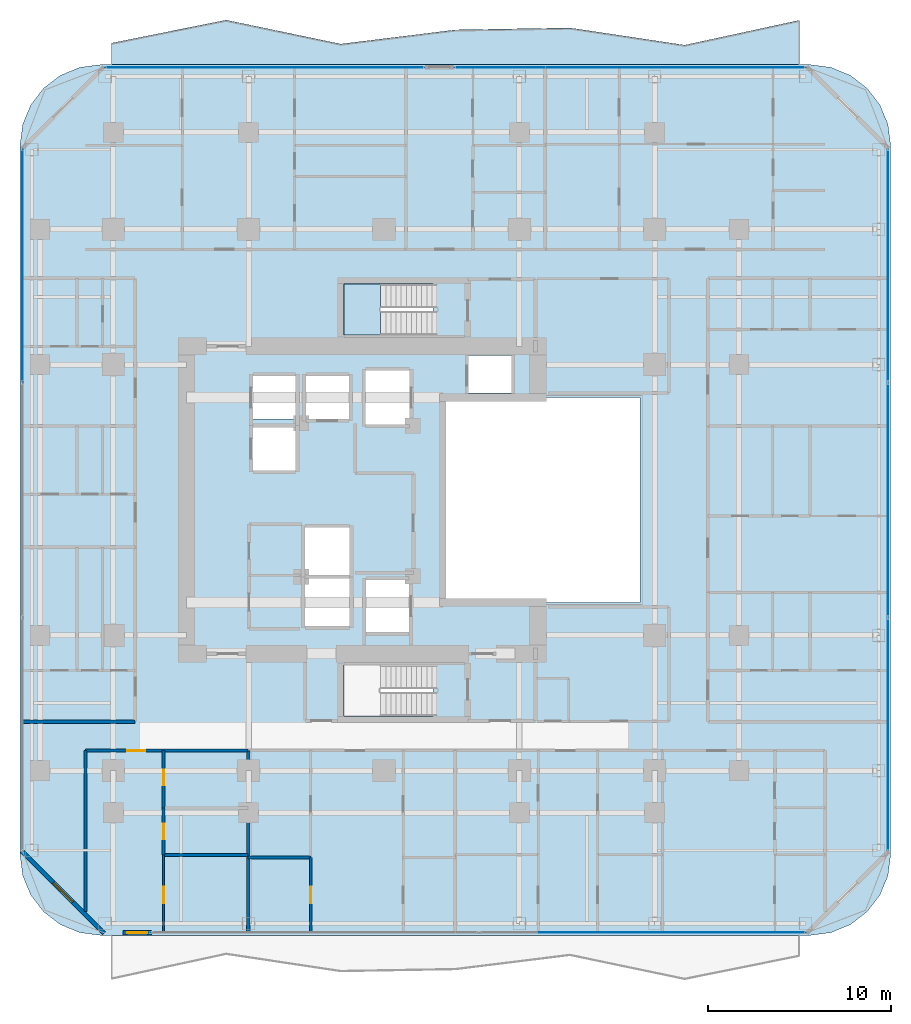
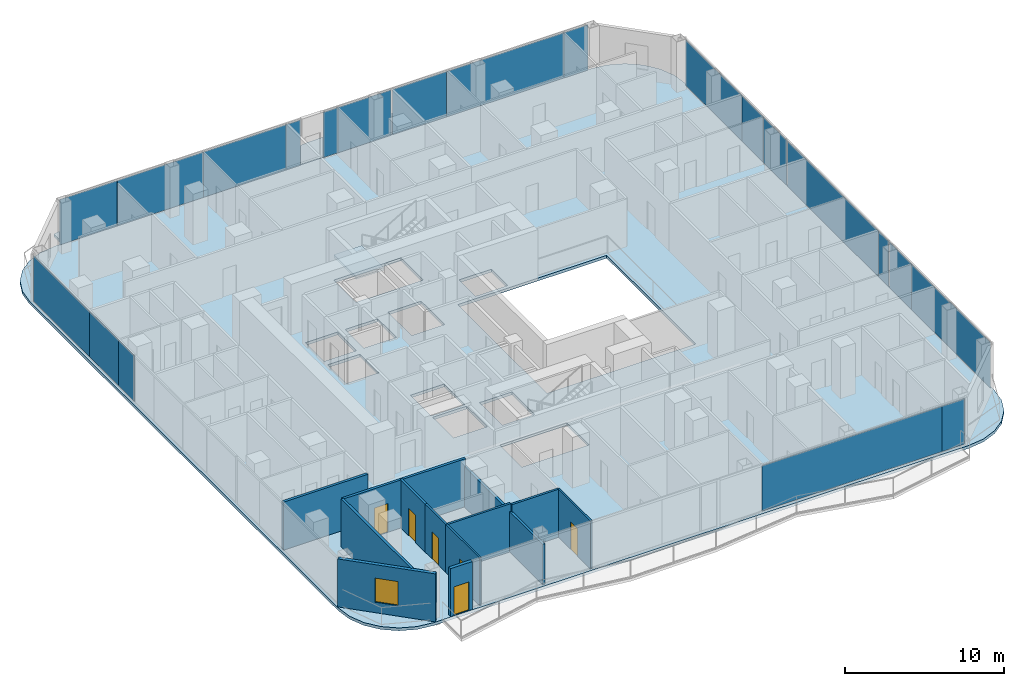
# One storey, part 20 of 29: 21 plates, 12 walls, 6 doors, 3 slabs, 1 window, 7 openings, 6 elements without a shape of their own.
"""IFC4 building model written with IfcOpenShell, lengths in metres."""

from ifc_helpers import new_model, si_unit, direction, frame, frame_2d, origin, origin_2d, place, context, subcontext, project, spatial, polyline, rectangle, outline, extrude, material, layer, layer_set, type_object, element, fill, aggregate, save


model = new_model("IFC4")

# Units and contexts
model_context = context("Model", 3, precision=1e-05, world=origin(), true_north=direction((0.0, 1.0)))
body_context = subcontext(model_context, "Body", "Model", "MODEL_VIEW")
ifc_project = project(units=[si_unit("LENGTHUNIT", "METRE"), si_unit("AREAUNIT", "SQUARE_METRE"), si_unit("VOLUMEUNIT", "CUBIC_METRE"), si_unit("PLANEANGLEUNIT", "RADIAN"), si_unit("MASSUNIT", "GRAM", prefix="KILO")], contexts=[model_context])

# Site, building, storey
site_placement = place(None, origin())
site = spatial("IfcSite", under=ifc_project, at=site_placement, CompositionType="ELEMENT")
building_placement = place(site_placement, origin())
building = spatial("IfcBuilding", under=site, at=building_placement, Name="Khorvyn Point Tower", CompositionType="ELEMENT")
storey_placement = place(building_placement, frame((0.0, 0.0, 140.699951171875)))
storey = spatial("IfcBuildingStorey", under=building, at=storey_placement, Name="L35", CompositionType="ELEMENT", Elevation=140.699951171875)

# Slabs
ifc_material_1 = material(Name="Concrete C35/45", Category="concrete")
ifc_layer_1 = layer(ifc_material_1, 0.219970703125)
ifc_layer_set_1 = layer_set([ifc_layer_1], Name="Concrete C35/45 Structural Floor Slab 220")
slab_type_1 = type_object("IfcSlabType", Name="Concrete C35/45 Structural Floor Slab 220", PredefinedType="FLOOR", material=ifc_layer_set_1)
slab_1_placement = place(storey_placement, frame((0.0, 0.0, -0.219970703125)))
element("IfcSlab", 1, at=slab_1_placement, inside=storey, type_object=slab_type_1, Name="L35 Main Structural Floor Slab", PredefinedType="FLOOR", context=body_context, shape_type="SweptSolid", body=[
    extrude(outline(polyline([(-15.5, -23.800048828125), (-16.638916015625, -23.650146484375), (-17.699951171875, -23.21044921875), (-18.611328125, -22.51123046875), (-19.310546875, -21.60009765625), (-19.75, -20.538818359375), (-19.89990234375, -19.39990234375), (-19.89990234375, 19.39990234375), (-19.75, 20.538818359375), (-19.310546875, 21.60009765625), (-18.611328125, 22.51123046875), (-17.699951171875, 23.21044921875), (-16.638916015625, 23.650146484375), (-15.5, 23.800048828125), (23.300048828125, 23.800048828125), (24.438720703125, 23.650146484375), (25.5, 23.21044921875), (26.411376953125, 22.51123046875), (27.110595703125, 21.60009765625), (27.550048828125, 20.538818359375), (27.699951171875, 19.39990234375), (27.699951171875, -19.39990234375), (27.550048828125, -20.538818359375), (27.110595703125, -21.60009765625), (26.411376953125, -22.51123046875), (25.5, -23.21044921875), (24.438720703125, -23.650146484375), (23.300048828125, -23.800048828125), (-15.5, -23.800048828125)]), holes=[polyline([(-1.875, -6.89990234375), (-1.875, -4.300048828125), (-4.324951171875, -4.300048828125), (-4.324951171875, -6.89990234375), (-1.875, -6.89990234375)]), polyline([(-1.875, -4.10009765625), (-1.875, -1.5), (-4.324951171875, -1.5), (-4.324951171875, -4.10009765625), (-1.875, -4.10009765625)]), polyline([(-4.824951171875, 1.625), (-4.824951171875, 3.97509765625), (-7.175048828125, 3.97509765625), (-7.175048828125, 1.625), (-4.824951171875, 1.625)]), polyline([(-7.175048828125, 4.425048828125), (-4.824951171875, 4.425048828125), (-4.824951171875, 6.77490234375), (-7.175048828125, 6.77490234375), (-7.175048828125, 4.425048828125)]), polyline([(-4.27490234375, 4.425048828125), (-1.925048828125, 4.425048828125), (-1.925048828125, 6.77490234375), (-4.27490234375, 6.77490234375), (-4.27490234375, 4.425048828125)]), polyline([(1.39990234375, 4.125), (1.39990234375, 7.074951171875), (-1.0, 7.074951171875), (-1.0, 4.125), (1.39990234375, 4.125)]), polyline([(-2.199951171875, -11.820068359375), (2.679931640625, -11.820068359375), (2.679931640625, -9.02001953125), (-2.199951171875, -9.02001953125), (-2.199951171875, -11.820068359375)]), polyline([(-0.97509765625, -7.22509765625), (1.375, -7.22509765625), (1.375, -4.375), (-0.97509765625, -4.375), (-0.97509765625, -7.22509765625)]), polyline([(14.0, -5.60009765625), (14.0, 5.60009765625), (3.199951171875, 5.60009765625), (3.199951171875, -5.60009765625), (14.0, -5.60009765625)]), polyline([(4.625, 5.85009765625), (6.97509765625, 5.85009765625), (6.97509765625, 7.905029296875), (4.625, 7.905029296875), (4.625, 5.85009765625)]), polyline([(-2.199951171875, 9.02001953125), (2.679931640625, 9.02001953125), (2.679931640625, 11.820068359375), (-2.199951171875, 11.820068359375), (-2.199951171875, 9.02001953125)])]), origin(), (0.0, 0.0, 1.0), 0.219970703125),
])
ifc_material_2 = material(Name="Concrete C40/50", Category="concrete")
ifc_layer_2 = layer(ifc_material_2, 0.2099609375)
ifc_layer_set_2 = layer_set([ifc_layer_2], Name="Concrete C40/50 Rippling Balcony Slab 210")
slab_type_2 = type_object("IfcSlabType", Name="Concrete C40/50 Rippling Balcony Slab 210", PredefinedType="USERDEFINED", material=ifc_layer_set_2)
slab_2_placement = place(storey_placement, frame((0.0, 0.0, -0.2099609375)))
element("IfcSlab", 2, at=slab_2_placement, inside=storey, type_object=slab_type_2, Name="L35 North Sinusoidal Rippling Balcony", ObjectType="BALCONY", PredefinedType="USERDEFINED", context=body_context, shape_type="SweptSolid", body=[
    extrude(outline(polyline([(22.699951171875, 23.800048828125), (22.699951171875, 26.226806640625), (16.433349609375, 24.87158203125), (10.166748046875, 25.8125), (3.89990234375, 25.705078125), (-2.36669921875, 24.930908203125), (-8.63330078125, 26.241455078125), (-14.89990234375, 24.978759765625), (-14.89990234375, 23.800048828125), (22.699951171875, 23.800048828125)])), origin(), (0.0, 0.0, 1.0), 0.2099609375),
])

# Stair, slab
stair_type = type_object("IfcStairType", Name="Tower Concrete C40/50 Dogleg Exit Stair", PredefinedType="HALF_TURN_STAIR", material=ifc_material_2)
stair_placement = place(storey_placement, origin())
stair = element("IfcStair", 3, at=stair_placement, inside=storey, type_object=stair_type, Name="L35 Tower Smokeproof Exit Stair North", PredefinedType="HALF_TURN_STAIR")
ifc_layer_3 = layer(ifc_material_2, 0.199951171875)
ifc_layer_set_3 = layer_set([ifc_layer_3], Name="Concrete C40/50 Stair Landing Slab 200")
slab_type_3 = type_object("IfcSlabType", Name="Concrete C40/50 Stair Landing Slab 200", PredefinedType="LANDING", material=ifc_layer_set_3)
slab_3_placement = place(storey_placement, frame((0.0, 0.0, 1.75)))
slab_3 = element("IfcSlab", 4, at=slab_3_placement, type_object=slab_type_3, Name="ST-02 landing 1", PredefinedType="LANDING", context=body_context, shape_type="SweptSolid", body=[
    extrude(outline(polyline([(-0.179931640625, 11.820068359375), (-2.199951171875, 11.820068359375), (-2.199951171875, 9.02001953125), (-0.179931640625, 9.02001953125), (-0.179931640625, 11.820068359375)])), origin(), (0.0, 0.0, 1.0), 0.199951171875),
])
aggregate(stair, [slab_3])

# Curtain wall, plates
ifc_material_3 = material(Name="Anodised aluminium 6063-T6 and laminated Low-E glass", Category="aluminium")
ifc_layer_4 = layer(ifc_material_3, 0.18994140625)
ifc_layer_set_4 = layer_set([ifc_layer_4], Name="Stick-Built Acoustic Curtain Wall CW-SYS-03")
curtain_wall_type = type_object("IfcCurtainWallType", Name="Stick-Built Acoustic Curtain Wall CW-SYS-03", PredefinedType="NOTDEFINED", material=ifc_layer_set_4)
curtain_wall_1_placement = place(storey_placement, origin())
curtain_wall_1 = element("IfcCurtainWall", 5, at=curtain_wall_1_placement, inside=storey, type_object=curtain_wall_type, Name="Curtain Wall", PredefinedType="NOTDEFINED")
ifc_material_4 = material(Name="Laminated Low-E insulated glass", Category="glass")
ifc_layer_5 = layer(ifc_material_4, 0.028076171875)
ifc_layer_set_5 = layer_set([ifc_layer_5], Name="Tempered Low-E Vision Glazing Panel CW-GL28")
plate_type = type_object("IfcPlateType", Name="Tempered Low-E Vision Glazing Panel CW-GL28", PredefinedType="CURTAIN_PANEL", material=ifc_layer_set_5)
plate_1_placement = place(storey_placement, frame((14.8994140625, -23.64990234375, 0.10009765625), z_axis=(0.0, 0.0, 1.0), x_axis=(-1.0, 0.0, 0.0)))
plate_1 = element("IfcPlate", 6, at=plate_1_placement, type_object=plate_type, Name="Panel", PredefinedType="CURTAIN_PANEL", context=body_context, shape_type="SweptSolid", body=[
    extrude(rectangle(XDim=13.052978515625, YDim=0.028076171875, at=origin_2d()), origin(), (0.0, 0.0, 1.0), 3.47998046875),
])
plate_2_placement = place(storey_placement, frame((22.239990234375, -23.64990234375, 0.10009765625), z_axis=(0.0, 0.0, 1.0), x_axis=(-1.0, 0.0, 0.0)))
plate_2 = element("IfcPlate", 7, at=plate_2_placement, type_object=plate_type, Name="Panel", PredefinedType="CURTAIN_PANEL", context=body_context, shape_type="SweptSolid", body=[
    extrude(rectangle(XDim=1.612060546875, YDim=0.028076171875, at=origin_2d()), origin(), (0.0, 0.0, 1.0), 3.47998046875),
])
aggregate(curtain_wall_1, [plate_1, plate_2])

curtain_wall_2_placement = place(storey_placement, origin())
curtain_wall_2 = element("IfcCurtainWall", 8, at=curtain_wall_2_placement, inside=storey, type_object=curtain_wall_type, Name="Curtain Wall", PredefinedType="NOTDEFINED")
plate_3_placement = place(storey_placement, frame((-13.1669921875, 23.64990234375, 0.10009765625), z_axis=(0.0, 0.0, 1.0), x_axis=(1.0, 0.0, 0.0)))
plate_3 = element("IfcPlate", 9, at=plate_3_placement, type_object=plate_type, Name="Panel", PredefinedType="CURTAIN_PANEL", context=body_context, shape_type="SweptSolid", body=[
    extrude(rectangle(XDim=4.157958984375, YDim=0.028076171875, at=origin_2d()), origin(), (0.0, 0.0, 1.0), 3.47998046875),
])
plate_4_placement = place(storey_placement, frame((-7.95703125, 23.64990234375, 0.10009765625), z_axis=(0.0, 0.0, 1.0), x_axis=(1.0, 0.0, 0.0)))
plate_4 = element("IfcPlate", 10, at=plate_4_placement, type_object=plate_type, Name="Panel", PredefinedType="CURTAIN_PANEL", context=body_context, shape_type="SweptSolid", body=[
    extrude(rectangle(XDim=6.24609375, YDim=0.028076171875, at=origin_2d()), origin(), (0.0, 0.0, 1.0), 3.47998046875),
])
plate_5_placement = place(storey_placement, frame((-1.843017578125, 23.64990234375, 0.10009765625), z_axis=(0.0, 0.0, 1.0), x_axis=(1.0, 0.0, 0.0)))
plate_5 = element("IfcPlate", 11, at=plate_5_placement, type_object=plate_type, Name="Panel", PredefinedType="CURTAIN_PANEL", context=body_context, shape_type="SweptSolid", body=[
    extrude(rectangle(XDim=5.966064453125, YDim=0.028076171875, at=origin_2d()), origin(), (0.0, 0.0, 1.0), 3.47998046875),
])
plate_6_placement = place(storey_placement, frame((1.677978515625, 23.64990234375, 0.10009765625), z_axis=(0.0, 0.0, 1.0), x_axis=(1.0, 0.0, 0.0)))
plate_6 = element("IfcPlate", 12, at=plate_6_placement, type_object=plate_type, Name="Panel", PredefinedType="CURTAIN_PANEL", context=body_context, shape_type="SweptSolid", body=[
    extrude(rectangle(XDim=1.06005859375, YDim=0.028076171875, at=origin_2d()), origin(), (0.0, 0.0, 1.0), 3.47998046875),
])
aggregate(curtain_wall_2, [plate_3, plate_4, plate_5, plate_6])

curtain_wall_3_placement = place(storey_placement, origin())
curtain_wall_3 = element("IfcCurtainWall", 13, at=curtain_wall_3_placement, inside=storey, type_object=curtain_wall_type, Name="Curtain Wall", PredefinedType="NOTDEFINED")
plate_7_placement = place(storey_placement, frame((4.385986328125, 23.64990234375, 0.10009765625), z_axis=(0.0, 0.0, 1.0), x_axis=(1.0, 0.0, 0.0)))
plate_7 = element("IfcPlate", 14, at=plate_7_placement, type_object=plate_type, Name="Panel", PredefinedType="CURTAIN_PANEL", context=body_context, shape_type="SweptSolid", body=[
    extrude(rectangle(XDim=1.06005859375, YDim=0.028076171875, at=origin_2d()), origin(), (0.0, 0.0, 1.0), 3.47998046875),
])
plate_8_placement = place(storey_placement, frame((6.840087890625, 23.64990234375, 0.10009765625), z_axis=(0.0, 0.0, 1.0), x_axis=(1.0, 0.0, 0.0)))
plate_8 = element("IfcPlate", 15, at=plate_8_placement, type_object=plate_type, Name="Panel", PredefinedType="CURTAIN_PANEL", context=body_context, shape_type="SweptSolid", body=[
    extrude(rectangle(XDim=3.83203125, YDim=0.028076171875, at=origin_2d()), origin(), (0.0, 0.0, 1.0), 3.47998046875),
])
plate_9_placement = place(storey_placement, frame((10.843017578125, 23.64990234375, 0.10009765625), z_axis=(0.0, 0.0, 1.0), x_axis=(1.0, 0.0, 0.0)))
plate_9 = element("IfcPlate", 16, at=plate_9_placement, type_object=plate_type, Name="Panel", PredefinedType="CURTAIN_PANEL", context=body_context, shape_type="SweptSolid", body=[
    extrude(rectangle(XDim=3.91796875, YDim=0.028076171875, at=origin_2d()), origin(), (0.0, 0.0, 1.0), 3.47998046875),
])
plate_10_placement = place(storey_placement, frame((17.068115234375, 23.64990234375, 0.10009765625), z_axis=(0.0, 0.0, 1.0), x_axis=(1.0, 0.0, 0.0)))
plate_10 = element("IfcPlate", 17, at=plate_10_placement, type_object=plate_type, Name="Panel", PredefinedType="CURTAIN_PANEL", context=body_context, shape_type="SweptSolid", body=[
    extrude(rectangle(XDim=8.51611328125, YDim=0.028076171875, at=origin_2d()), origin(), (0.0, 0.0, 1.0), 3.47998046875),
])
plate_11_placement = place(storey_placement, frame((22.18994140625, 23.64990234375, 0.10009765625), z_axis=(0.0, 0.0, 1.0), x_axis=(1.0, 0.0, 0.0)))
plate_11 = element("IfcPlate", 18, at=plate_11_placement, type_object=plate_type, Name="Panel", PredefinedType="CURTAIN_PANEL", context=body_context, shape_type="SweptSolid", body=[
    extrude(rectangle(XDim=1.7119140625, YDim=0.028076171875, at=origin_2d()), origin(), (0.0, 0.0, 1.0), 3.47998046875),
])
aggregate(curtain_wall_3, [plate_7, plate_8, plate_9, plate_10, plate_11])

curtain_wall_4_placement = place(storey_placement, origin())
curtain_wall_4 = element("IfcCurtainWall", 19, at=curtain_wall_4_placement, inside=storey, type_object=curtain_wall_type, Name="Curtain Wall", PredefinedType="NOTDEFINED")
plate_12_placement = place(storey_placement, frame((-19.75, 7.460205078125, 0.10009765625), z_axis=(0.0, 0.0, 1.0), x_axis=(0.0, 1.0, 0.0)))
plate_12 = element("IfcPlate", 20, at=plate_12_placement, type_object=plate_type, Name="Panel", PredefinedType="CURTAIN_PANEL", context=body_context, shape_type="SweptSolid", body=[
    extrude(rectangle(XDim=1.979248046875, YDim=0.028076171875, at=origin_2d()), origin(), (0.0, 0.0, 1.0), 3.47998046875),
])
plate_13_placement = place(storey_placement, frame((-19.75, 10.257080078125, 0.10009765625), z_axis=(0.0, 0.0, 1.0), x_axis=(0.0, 1.0, 0.0)))
plate_13 = element("IfcPlate", 21, at=plate_13_placement, type_object=plate_type, Name="Panel", PredefinedType="CURTAIN_PANEL", context=body_context, shape_type="SweptSolid", body=[
    extrude(rectangle(XDim=3.597900390625, YDim=0.028076171875, at=origin_2d()), origin(), (0.0, 0.0, 1.0), 3.47998046875),
])
plate_14_placement = place(storey_placement, frame((-19.75, 15.60498046875, 0.10009765625), z_axis=(0.0, 0.0, 1.0), x_axis=(0.0, 1.0, 0.0)))
plate_14 = element("IfcPlate", 22, at=plate_14_placement, type_object=plate_type, Name="Panel", PredefinedType="CURTAIN_PANEL", context=body_context, shape_type="SweptSolid", body=[
    extrude(rectangle(XDim=7.08203125, YDim=0.028076171875, at=origin_2d()), origin(), (0.0, 0.0, 1.0), 3.47998046875),
])
aggregate(curtain_wall_4, [plate_12, plate_13, plate_14])

curtain_wall_5_placement = place(storey_placement, origin())
curtain_wall_5 = element("IfcCurtainWall", 23, at=curtain_wall_5_placement, inside=storey, type_object=curtain_wall_type, Name="Curtain Wall", PredefinedType="NOTDEFINED")
plate_15_placement = place(storey_placement, frame((27.550048828125, 7.92333984375, 0.10009765625), z_axis=(0.0, 0.0, 1.0), x_axis=(0.0, -1.0, 0.0)))
plate_15 = element("IfcPlate", 24, at=plate_15_placement, type_object=plate_type, Name="Panel", PredefinedType="CURTAIN_PANEL", context=body_context, shape_type="SweptSolid", body=[
    extrude(rectangle(XDim=2.9052734375, YDim=0.028076171875, at=origin_2d()), origin(), (0.0, 0.0, 1.0), 3.47998046875),
])
plate_16_placement = place(storey_placement, frame((27.550048828125, 10.719970703125, 0.10009765625), z_axis=(0.0, 0.0, 1.0), x_axis=(0.0, -1.0, 0.0)))
plate_16 = element("IfcPlate", 25, at=plate_16_placement, type_object=plate_type, Name="Panel", PredefinedType="CURTAIN_PANEL", context=body_context, shape_type="SweptSolid", body=[
    extrude(rectangle(XDim=2.672119140625, YDim=0.028076171875, at=origin_2d()), origin(), (0.0, 0.0, 1.0), 3.47998046875),
])
plate_17_placement = place(storey_placement, frame((27.550048828125, 15.60498046875, 0.10009765625), z_axis=(0.0, 0.0, 1.0), x_axis=(0.0, -1.0, 0.0)))
plate_17 = element("IfcPlate", 26, at=plate_17_placement, type_object=plate_type, Name="Panel", PredefinedType="CURTAIN_PANEL", context=body_context, shape_type="SweptSolid", body=[
    extrude(rectangle(XDim=7.08203125, YDim=0.028076171875, at=origin_2d()), origin(), (0.0, 0.0, 1.0), 3.47998046875),
])
plate_18_placement = place(storey_placement, frame((27.550048828125, -5.7421875, 0.10009765625), z_axis=(0.0, 0.0, 1.0), x_axis=(0.0, -1.0, 0.0)))
plate_18 = element("IfcPlate", 27, at=plate_18_placement, type_object=plate_type, Name="Panel", PredefinedType="CURTAIN_PANEL", context=body_context, shape_type="SweptSolid", body=[
    extrude(rectangle(XDim=1.24072265625, YDim=0.028076171875, at=origin_2d()), origin(), (0.0, 0.0, 1.0), 3.47998046875),
])
plate_19_placement = place(storey_placement, frame((27.550048828125, 0.624267578125, 0.10009765625), z_axis=(0.0, 0.0, 1.0), x_axis=(0.0, -1.0, 0.0)))
plate_19 = element("IfcPlate", 28, at=plate_19_placement, type_object=plate_type, Name="Panel", PredefinedType="CURTAIN_PANEL", context=body_context, shape_type="SweptSolid", body=[
    extrude(rectangle(XDim=11.476806640625, YDim=0.028076171875, at=origin_2d()), origin(), (0.0, 0.0, 1.0), 3.47998046875),
])
plate_20_placement = place(storey_placement, frame((27.550048828125, -14.205078125, 0.10009765625), z_axis=(0.0, 0.0, 1.0), x_axis=(0.0, -1.0, 0.0)))
plate_20 = element("IfcPlate", 29, at=plate_20_placement, type_object=plate_type, Name="Panel", PredefinedType="CURTAIN_PANEL", context=body_context, shape_type="SweptSolid", body=[
    extrude(rectangle(XDim=9.882080078125, YDim=0.028076171875, at=origin_2d()), origin(), (0.0, 0.0, 1.0), 3.47998046875),
])
plate_21_placement = place(storey_placement, frame((27.550048828125, -7.86328125, 0.10009765625), z_axis=(0.0, 0.0, 1.0), x_axis=(0.0, -1.0, 0.0)))
plate_21 = element("IfcPlate", 30, at=plate_21_placement, type_object=plate_type, Name="Panel", PredefinedType="CURTAIN_PANEL", context=body_context, shape_type="SweptSolid", body=[
    extrude(rectangle(XDim=2.785400390625, YDim=0.028076171875, at=origin_2d()), origin(), (0.0, 0.0, 1.0), 3.47998046875),
])
aggregate(curtain_wall_5, [plate_15, plate_16, plate_17, plate_18, plate_19, plate_20, plate_21])

# Wall, opening, door
ifc_material_5 = material(Name="Double acoustic gypsum on twin steel stud", Category="steel")
ifc_layer_6 = layer(ifc_material_5, 0.179931640625)
ifc_layer_set_6 = layer_set([ifc_layer_6], Name="Acoustic Double-Stud Apartment Demising Wall 180")
wall_type_1 = type_object("IfcWallType", Name="Acoustic Double-Stud Apartment Demising Wall 180", PredefinedType="PARTITIONING", material=ifc_layer_set_6)
wall_1_placement = place(storey_placement, frame((-16.320068359375, -13.699951171875, 0.0), z_axis=(0.0, 0.0, 1.0), x_axis=(1.0, 0.0, 0.0)))
wall_1 = element("IfcWall", 31, at=wall_1_placement, inside=storey, type_object=wall_type_1, Name="Wall", PredefinedType="PARTITIONING", context=body_context, shape_type="SweptSolid", body=[
    extrude(rectangle(XDim=8.89697265625, YDim=0.179931640625, at=frame_2d((4.448486328125, 0.0))), origin(), (0.0, 0.0, 1.0), 3.679931640625),
])
opening_1_placement = place(wall_1_placement, frame((2.2744140625, 0.0, 0.0)))
opening_1 = element("IfcOpeningElement", 32, at=opening_1_placement, cuts=wall_1, Name="Opening ID-AP60", PredefinedType="OPENING", context=body_context, shape_type="SweptSolid", body=[
    extrude(rectangle(XDim=1.0, YDim=2.199951171875, at=frame_2d((0.5, 1.10009765625))), frame((0.0, 0.099853515625, 0.0), z_axis=(0.0, -1.0, 0.0), x_axis=(1.0, 0.0, 0.0)), (0.0, 0.0, 1.0), 0.199951171875),
])
ifc_material_6 = material(Name="Engineered hardwood fire-rated leaf", Category="wood")
door_type_1 = type_object("IfcDoorType", Name="Acoustic Solid-Core Timber Apartment Entrance Door 1000x2200", OperationType="NOTDEFINED", PredefinedType="DOOR", material=ifc_material_6)
door_1_placement = place(opening_1_placement, origin())
door_1 = element("IfcDoor", 33, at=door_1_placement, inside=storey, type_object=door_type_1, Name="Door", OperationType="SINGLE_SWING_RIGHT", OverallHeight=2.199951171875, OverallWidth=1.0, PredefinedType="DOOR", context=body_context, shape_type="SweptSolid", body=[
    extrude(rectangle(XDim=1.0, YDim=2.199951171875, at=frame_2d((0.5, 1.10009765625))), frame((0.0, 0.02490234375, 0.0), z_axis=(0.0, -1.0, 0.0), x_axis=(1.0, 0.0, 0.0)), (0.0, 0.0, 1.0), 0.050048828125),
])
fill(opening_1, door_1)

# Walls
wall_2_placement = place(storey_placement, frame((-16.320068359375, -22.510009765625, 0.0), z_axis=(0.0, 0.0, 1.0), x_axis=(0.0, 1.0, 0.0)))
element("IfcWall", 34, at=wall_2_placement, inside=storey, type_object=wall_type_1, Name="Wall", PredefinedType="PARTITIONING", context=body_context, shape_type="SweptSolid", body=[
    extrude(rectangle(XDim=8.81005859375, YDim=0.179931640625, at=frame_2d((4.405029296875, 0.0))), origin(), (0.0, 0.0, 1.0), 3.679931640625),
])
wall_3_placement = place(storey_placement, frame((-7.423095703125, -23.6298828125, 0.0), z_axis=(0.0, 0.0, 1.0), x_axis=(0.0, 1.0, 0.0)))
element("IfcWall", 35, at=wall_3_placement, inside=storey, type_object=wall_type_1, Name="Wall", PredefinedType="PARTITIONING", context=body_context, shape_type="SweptSolid", body=[
    extrude(rectangle(XDim=9.929931640625, YDim=0.179931640625, at=frame_2d((4.96484375, 0.0))), origin(), (0.0, 0.0, 1.0), 3.08203125),
])
wall_4_placement = place(storey_placement, frame((-19.72998046875, -12.1201171875, 0.0), z_axis=(0.0, 0.0, 1.0), x_axis=(1.0, 0.0, 0.0)))
element("IfcWall", 36, at=wall_4_placement, inside=storey, type_object=wall_type_1, Name="Wall", PredefinedType="PARTITIONING", context=body_context, shape_type="SweptSolid", body=[
    extrude(rectangle(XDim=6.1298828125, YDim=0.179931640625, at=frame_2d((3.06494140625, 0.0))), origin(), (0.0, 0.0, 1.0), 3.679931640625),
])

# Wall, opening, door
ifc_material_7 = material(Name="Pale anodised aluminium rainscreen on steel stud", Category="steel")
ifc_layer_7 = layer(ifc_material_7, 0.239990234375)
ifc_layer_set_7 = layer_set([ifc_layer_7], Name="Anodised Aluminium Insulated Corner Spandrel Wall 240")
wall_type_2 = type_object("IfcWallType", Name="Anodised Aluminium Insulated Corner Spandrel Wall 240", PredefinedType="SOLIDWALL", material=ifc_layer_set_7)
wall_5_placement = place(storey_placement, frame((-12.698974609375, -23.64990234375, 0.0), z_axis=(0.0, 0.0, 1.0), x_axis=(-1.0, 0.0, 0.0)))
wall_5 = element("IfcWall", 37, at=wall_5_placement, inside=storey, type_object=wall_type_2, Name="L35 South Outdoor Threshold Wall", PredefinedType="SOLIDWALL", context=body_context, shape_type="SweptSolid", body=[
    extrude(rectangle(XDim=1.580078125, YDim=0.239990234375, at=frame_2d((0.7900390625, 0.0))), origin(), (0.0, 0.0, 1.0), 3.679931640625),
])
opening_2_placement = place(wall_5_placement, frame((0.239990234375, 0.0, 0.0)))
opening_2 = element("IfcOpeningElement", 38, at=opening_2_placement, cuts=wall_5, Name="Opening BD-1122", PredefinedType="OPENING", context=body_context, shape_type="SweptSolid", body=[
    extrude(rectangle(XDim=1.10009765625, YDim=2.199951171875, at=frame_2d((0.550048828125, 1.10009765625))), frame((0.0, 0.1298828125, 0.0), z_axis=(0.0, -1.0, 0.0), x_axis=(1.0, 0.0, 0.0)), (0.0, 0.0, 1.0), 0.260009765625),
])
door_type_2 = type_object("IfcDoorType", Name="Glazed Balcony and Terrace Threshold Door 1100x2200", OperationType="NOTDEFINED", PredefinedType="DOOR", material=ifc_material_3)
door_2_placement = place(opening_2_placement, origin())
door_2 = element("IfcDoor", 39, at=door_2_placement, inside=storey, type_object=door_type_2, Name="L35 South Glazed Balcony Outdoor Door", OperationType="SINGLE_SWING_RIGHT", OverallHeight=2.199951171875, OverallWidth=1.10009765625, PredefinedType="DOOR", context=body_context, shape_type="SweptSolid", body=[
    extrude(rectangle(XDim=1.10009765625, YDim=2.199951171875, at=frame_2d((0.550048828125, 1.10009765625))), frame((0.0, 0.02490234375, 0.0), z_axis=(0.0, -1.0, 0.0), x_axis=(1.0, 0.0, 0.0)), (0.0, 0.0, 1.0), 0.050048828125),
])
fill(opening_2, door_2)

# Wall, opening, window
wall_6_placement = place(storey_placement, frame((-15.3076171875, -23.6923828125, 0.0), z_axis=(0.0, 0.0, 1.0), x_axis=(-0.707106781187, 0.707106781187, 0.0)))
wall_6 = element("IfcWall", 40, at=wall_6_placement, inside=storey, type_object=wall_type_2, Name="L35 Rounded Corner Wall SW", PredefinedType="SOLIDWALL", context=body_context, shape_type="SweptSolid", body=[
    extrude(rectangle(XDim=6.342529296875, YDim=0.239990234375, at=frame_2d((3.17138671875, 0.0))), origin(), (0.0, 0.0, 1.0), 3.679931640625),
])
opening_3_placement = place(wall_6_placement, frame((2.42138671875, 0.0, 0.800048828125)))
opening_3 = element("IfcOpeningElement", 41, at=opening_3_placement, cuts=wall_6, Name="Opening WN-1518", PredefinedType="OPENING", context=body_context, shape_type="SweptSolid", body=[
    extrude(rectangle(XDim=1.5, YDim=1.85009765625, at=frame_2d((0.75, 0.925048828125))), frame((0.0, 0.1298828125, 0.0), z_axis=(0.0, -1.0, 0.0), x_axis=(1.0, 0.0, 0.0)), (0.0, 0.0, 1.0), 0.260009765625),
])
window_type = type_object("IfcWindowType", Name="Anodised Aluminium Rounded-Corner Panoramic Window 1500x1850", PartitioningType="SINGLE_PANEL", PredefinedType="WINDOW", material=ifc_material_3)
window_placement = place(opening_3_placement, origin())
window = element("IfcWindow", 42, at=window_placement, inside=storey, type_object=window_type, Name="L35 Corner Panoramic Window SW", OverallHeight=1.85009765625, OverallWidth=1.5, PartitioningType="SINGLE_PANEL", PredefinedType="WINDOW", context=body_context, shape_type="SweptSolid", body=[
    extrude(rectangle(XDim=1.5, YDim=1.85009765625, at=frame_2d((0.75, 0.925048828125))), frame((0.0, 0.030029296875, 0.0), z_axis=(0.0, -1.0, 0.0), x_axis=(1.0, 0.0, 0.0)), (0.0, 0.0, 1.0), 0.06005859375),
])
fill(opening_3, window)

# Wall, opening, door
ifc_material_8 = material(Name="Gypsum plasterboard on steel stud", Category="steel")
ifc_layer_8 = layer(ifc_material_8, 0.1201171875)
ifc_layer_set_8 = layer_set([ifc_layer_8], Name="Gypsum Acoustic Stud Room Partition Wall 120")
wall_type_3 = type_object("IfcWallType", Name="Gypsum Acoustic Stud Room Partition Wall 120", PredefinedType="PARTITIONING", material=ifc_layer_set_8)
wall_7_placement = place(storey_placement, frame((-12.049072265625, -23.6298828125, 0.0), z_axis=(0.0, 0.0, 1.0), x_axis=(0.0, 1.0, 0.0)))
wall_7 = element("IfcWall", 43, at=wall_7_placement, inside=storey, type_object=wall_type_3, Name="Wall", PredefinedType="PARTITIONING", context=body_context, shape_type="SweptSolid", body=[
    extrude(rectangle(XDim=4.223876953125, YDim=0.1201171875, at=frame_2d((2.11181640625, 0.0))), origin(), (0.0, 0.0, 1.0), 3.679931640625),
])
opening_4_placement = place(wall_7_placement, frame((1.573486328125, 0.0, 0.0)))
opening_4 = element("IfcOpeningElement", 44, at=opening_4_placement, cuts=wall_7, Name="Opening ID-RM90", PredefinedType="OPENING", context=body_context, shape_type="SweptSolid", body=[
    extrude(rectangle(XDim=0.89990234375, YDim=2.10009765625, at=frame_2d((0.449951171875, 1.050048828125))), frame((0.0, 0.070068359375, 0.0), z_axis=(0.0, -1.0, 0.0), x_axis=(1.0, 0.0, 0.0)), (0.0, 0.0, 1.0), 0.14013671875),
])
ifc_material_9 = material(Name="Engineered oak veneer timber", Category="wood")
door_type_3 = type_object("IfcDoorType", Name="Flush Engineered Timber Room Door 900x2100", OperationType="NOTDEFINED", PredefinedType="DOOR", material=ifc_material_9)
door_3_placement = place(opening_4_placement, origin())
door_3 = element("IfcDoor", 45, at=door_3_placement, inside=storey, type_object=door_type_3, Name="Door", OperationType="SINGLE_SWING_LEFT", OverallHeight=2.10009765625, OverallWidth=0.89990234375, PredefinedType="DOOR", context=body_context, shape_type="SweptSolid", body=[
    extrude(rectangle(XDim=0.89990234375, YDim=2.10009765625, at=frame_2d((0.449951171875, 1.050048828125))), frame((0.0, 0.02490234375, 0.0), z_axis=(0.0, -1.0, 0.0), x_axis=(1.0, 0.0, 0.0)), (0.0, 0.0, 1.0), 0.050048828125),
])
fill(opening_4, door_3)

wall_8_placement = place(storey_placement, frame((-4.0009765625, -23.6298828125, 0.0), z_axis=(0.0, 0.0, 1.0), x_axis=(0.0, 1.0, 0.0)))
wall_8 = element("IfcWall", 46, at=wall_8_placement, inside=storey, type_object=wall_type_3, Name="Wall", PredefinedType="PARTITIONING", context=body_context, shape_type="SweptSolid", body=[
    extrude(rectangle(XDim=4.0849609375, YDim=0.1201171875, at=frame_2d((2.04248046875, 0.0))), origin(), (0.0, 0.0, 1.0), 3.679931640625),
])
opening_5_placement = place(wall_8_placement, frame((1.592529296875, 0.0, 0.0)))
opening_5 = element("IfcOpeningElement", 47, at=opening_5_placement, cuts=wall_8, Name="Opening ID-RM90", PredefinedType="OPENING", context=body_context, shape_type="SweptSolid", body=[
    extrude(rectangle(XDim=0.89990234375, YDim=2.10009765625, at=frame_2d((0.449951171875, 1.050048828125))), frame((0.0, 0.070068359375, 0.0), z_axis=(0.0, -1.0, 0.0), x_axis=(1.0, 0.0, 0.0)), (0.0, 0.0, 1.0), 0.14013671875),
])
door_4_placement = place(opening_5_placement, origin())
door_4 = element("IfcDoor", 48, at=door_4_placement, inside=storey, type_object=door_type_3, Name="Door", OperationType="SINGLE_SWING_RIGHT", OverallHeight=2.10009765625, OverallWidth=0.89990234375, PredefinedType="DOOR", context=body_context, shape_type="SweptSolid", body=[
    extrude(rectangle(XDim=0.89990234375, YDim=2.10009765625, at=frame_2d((0.449951171875, 1.050048828125))), frame((0.0, 0.02490234375, 0.0), z_axis=(0.0, -1.0, 0.0), x_axis=(1.0, 0.0, 0.0)), (0.0, 0.0, 1.0), 0.050048828125),
])
fill(opening_5, door_4)

ifc_material_10 = material(Name="Moisture-resistant gypsum and cement board", Category="gypsum")
ifc_layer_9 = layer(ifc_material_10, 0.14990234375)
ifc_layer_set_9 = layer_set([ifc_layer_9], Name="Moisture-Resistant Wet-Room Partition Wall 150")
wall_type_4 = type_object("IfcWallType", Name="Moisture-Resistant Wet-Room Partition Wall 150", PredefinedType="PARTITIONING", material=ifc_layer_set_9)
wall_9_placement = place(storey_placement, frame((-12.049072265625, -16.837890625, 0.0), z_axis=(0.0, 0.0, 1.0), x_axis=(0.0, 1.0, 0.0)))
wall_9 = element("IfcWall", 49, at=wall_9_placement, inside=storey, type_object=wall_type_4, Name="Wall", PredefinedType="PARTITIONING", context=body_context, shape_type="SweptSolid", body=[
    extrude(rectangle(XDim=3.137939453125, YDim=0.14990234375, at=frame_2d((1.56884765625, 0.0))), origin(), (0.0, 0.0, 1.0), 3.679931640625),
])
opening_6_placement = place(wall_9_placement, frame((1.2333984375, 0.0, 0.0)))
opening_6 = element("IfcOpeningElement", 50, at=opening_6_placement, cuts=wall_9, Name="Opening ID-WC85", PredefinedType="OPENING", context=body_context, shape_type="SweptSolid", body=[
    extrude(rectangle(XDim=0.85009765625, YDim=2.10009765625, at=frame_2d((0.425048828125, 1.050048828125))), frame((0.0, 0.0849609375, 0.0), z_axis=(0.0, -1.0, 0.0), x_axis=(1.0, 0.0, 0.0)), (0.0, 0.0, 1.0), 0.169921875),
])
ifc_material_11 = material(Name="High-pressure laminate on moisture-resistant core", Category="wood")
door_type_4 = type_object("IfcDoorType", Name="Moisture-Resistant Accessible Washroom Door 850x2100", OperationType="NOTDEFINED", PredefinedType="DOOR", material=ifc_material_11)
door_5_placement = place(opening_6_placement, origin())
door_5 = element("IfcDoor", 51, at=door_5_placement, inside=storey, type_object=door_type_4, Name="Door", OperationType="SINGLE_SWING_LEFT", OverallHeight=2.10009765625, OverallWidth=0.85009765625, PredefinedType="DOOR", context=body_context, shape_type="SweptSolid", body=[
    extrude(rectangle(XDim=0.85009765625, YDim=2.10009765625, at=frame_2d((0.425048828125, 1.050048828125))), frame((0.0, 0.02490234375, 0.0), z_axis=(0.0, -1.0, 0.0), x_axis=(1.0, 0.0, 0.0)), (0.0, 0.0, 1.0), 0.050048828125),
])
fill(opening_6, door_5)

wall_10_placement = place(storey_placement, frame((-12.049072265625, -19.406005859375, 0.0), z_axis=(0.0, 0.0, 1.0), x_axis=(0.0, 1.0, 0.0)))
wall_10 = element("IfcWall", 52, at=wall_10_placement, inside=storey, type_object=wall_type_4, Name="Wall", PredefinedType="PARTITIONING", context=body_context, shape_type="SweptSolid", body=[
    extrude(rectangle(XDim=2.568115234375, YDim=0.14990234375, at=frame_2d((1.2841796875, 0.0))), origin(), (0.0, 0.0, 1.0), 3.679931640625),
])
opening_7_placement = place(wall_10_placement, frame((0.85888671875, 0.0, 0.0)))
opening_7 = element("IfcOpeningElement", 53, at=opening_7_placement, cuts=wall_10, Name="Opening ID-WC85", PredefinedType="OPENING", context=body_context, shape_type="SweptSolid", body=[
    extrude(rectangle(XDim=0.85009765625, YDim=2.10009765625, at=frame_2d((0.425048828125, 1.050048828125))), frame((0.0, 0.0849609375, 0.0), z_axis=(0.0, -1.0, 0.0), x_axis=(1.0, 0.0, 0.0)), (0.0, 0.0, 1.0), 0.169921875),
])
door_6_placement = place(opening_7_placement, origin())
door_6 = element("IfcDoor", 54, at=door_6_placement, inside=storey, type_object=door_type_4, Name="Door", OperationType="SINGLE_SWING_RIGHT", OverallHeight=2.10009765625, OverallWidth=0.85009765625, PredefinedType="DOOR", context=body_context, shape_type="SweptSolid", body=[
    extrude(rectangle(XDim=0.85009765625, YDim=2.10009765625, at=frame_2d((0.425048828125, 1.050048828125))), frame((0.0, 0.02490234375, 0.0), z_axis=(0.0, -1.0, 0.0), x_axis=(1.0, 0.0, 0.0)), (0.0, 0.0, 1.0), 0.050048828125),
])
fill(opening_7, door_6)

# Walls
wall_11_placement = place(storey_placement, frame((-12.049072265625, -19.406005859375, 0.0), z_axis=(0.0, 0.0, 1.0), x_axis=(1.0, 0.0, 0.0)))
element("IfcWall", 55, at=wall_11_placement, inside=storey, type_object=wall_type_4, Name="Wall", PredefinedType="PARTITIONING", context=body_context, shape_type="SweptSolid", body=[
    extrude(rectangle(XDim=4.6259765625, YDim=0.14990234375, at=frame_2d((2.31298828125, 0.0))), origin(), (0.0, 0.0, 1.0), 3.679931640625),
])
wall_12_placement = place(storey_placement, frame((-7.423095703125, -19.544921875, 0.0), z_axis=(0.0, 0.0, 1.0), x_axis=(1.0, 0.0, 0.0)))
element("IfcWall", 56, at=wall_12_placement, inside=storey, type_object=wall_type_4, Name="Wall", PredefinedType="PARTITIONING", context=body_context, shape_type="SweptSolid", body=[
    extrude(rectangle(XDim=3.422119140625, YDim=0.14990234375, at=frame_2d((1.7109375, 0.0))), origin(), (0.0, 0.0, 1.0), 3.679931640625),
])

save(model, "model.ifc")
